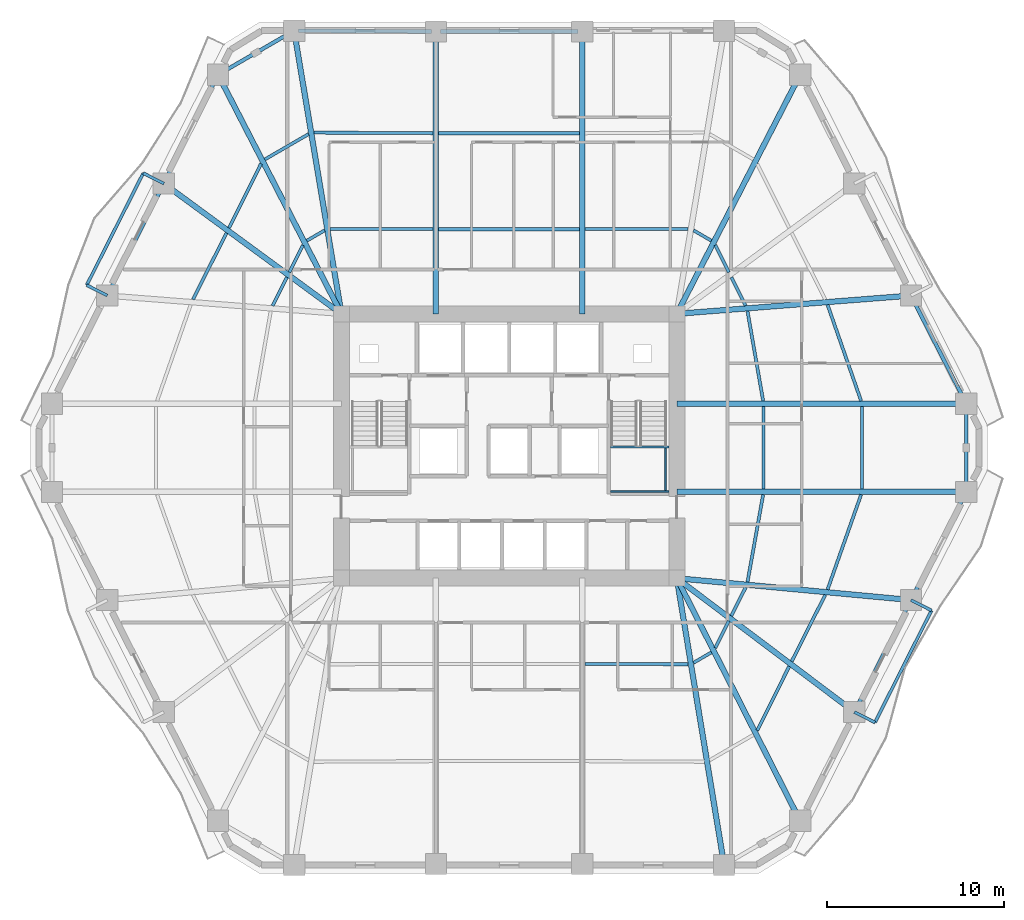
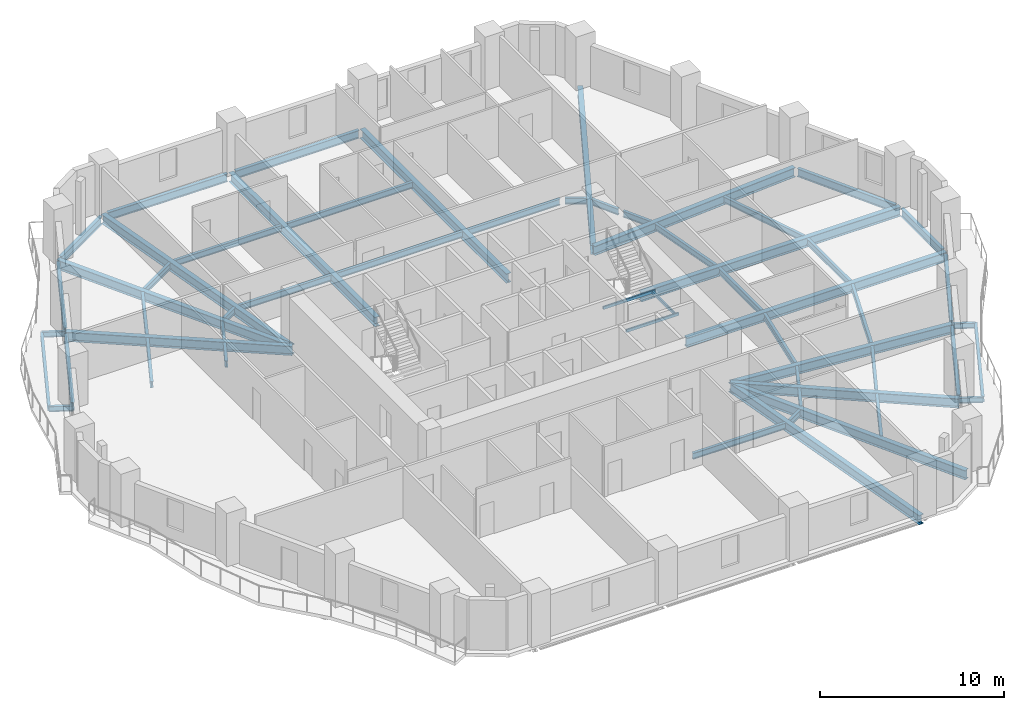
# One storey, part 2 of 11: 57 beams.
"""IFC4 building model written with IfcOpenShell, lengths in metres."""

from ifc_helpers import new_model, si_unit, direction, frame, origin, origin_2d, place, context, subcontext, project, spatial, hollow_rectangle, i_section, extrude, material, material_profile, profile_set, type_object, element, save


model = new_model("IFC4")

# Units and contexts
model_context = context("Model", 3, precision=1e-05, world=origin(), true_north=direction((0.0, 1.0)))
body_context = subcontext(model_context, "Body", "Model", "MODEL_VIEW")
ifc_project = project(units=[si_unit("LENGTHUNIT", "METRE"), si_unit("AREAUNIT", "SQUARE_METRE"), si_unit("VOLUMEUNIT", "CUBIC_METRE"), si_unit("PLANEANGLEUNIT", "RADIAN"), si_unit("MASSUNIT", "GRAM", prefix="KILO")], contexts=[model_context])

# Site, building, storey
site_placement = place(None, origin())
site = spatial("IfcSite", under=ifc_project, at=site_placement, CompositionType="ELEMENT")
building_placement = place(site_placement, origin())
building = spatial("IfcBuilding", under=site, at=building_placement, Name="Cinnabar Lancet Tower", CompositionType="ELEMENT")
storey_placement = place(building_placement, frame((0.0, 0.0, 60.39990234375)))
storey = spatial("IfcBuildingStorey", under=building, at=storey_placement, Name="L15", CompositionType="ELEMENT", Elevation=60.39990234375)

# Beams
ifc_material_1 = material(Name="Structural steel S355", Category="steel")
ifc_material_profile_1 = material_profile(ifc_material_1, i_section(OverallWidth=0.177978515625, OverallDepth=0.406494140625, WebThickness=0.0078125, FlangeThickness=0.0126953125, FilletRadius=0.01025390625, at=origin_2d()), Name="UKB 406x178x60")
ifc_profile_set_1 = profile_set([ifc_material_profile_1], Name="Structural steel S355")
beam_type_1 = type_object("IfcBeamType", Name="STR-BM-JST-406", PredefinedType="JOIST", material=ifc_profile_set_1)
beam_1_placement = place(storey_placement, frame((36.676025390625, 13.616943359375, -0.4228515625), z_axis=(0.999996723732, -0.002559790187, 0.0), x_axis=(0.002559790187, 0.999996723732, 0.0)))
element("IfcBeam", 1, at=beam_1_placement, inside=storey, type_object=beam_type_1, Name="L15 Secondary Floor Joist 14", PredefinedType="JOIST", context=body_context, shape_type="SweptSolid", body=[
    extrude(i_section(OverallWidth=0.177978515625, OverallDepth=0.406494140625, WebThickness=0.0078125, FlangeThickness=0.0126953125, FilletRadius=0.01025390625, at=origin_2d()), origin(), (0.0, 0.0, 1.0), 5.81787109375),
])
beam_2_placement = place(storey_placement, frame((42.7919921875, 13.68408203125, -0.4228515625), z_axis=(0.865192550274, 0.50143977799, 0.0), x_axis=(-0.50143977799, 0.865192550274, 0.0)))
element("IfcBeam", 2, at=beam_2_placement, inside=storey, type_object=beam_type_1, Name="L15 Secondary Floor Joist 16", PredefinedType="JOIST", context=body_context, shape_type="SweptSolid", body=[
    extrude(i_section(OverallWidth=0.177978515625, OverallDepth=0.406494140625, WebThickness=0.0078125, FlangeThickness=0.0126953125, FilletRadius=0.01025390625, at=origin_2d()), origin(), (0.0, 0.0, 1.0), 1.16845703125),
])
beam_3_placement = place(storey_placement, frame((46.385009765625, 9.867919921875, -0.4228515625), z_axis=(0.445835127839, 0.895115098065, 0.0), x_axis=(-0.895115098065, 0.445835127839, 0.0)))
element("IfcBeam", 3, at=beam_3_placement, inside=storey, type_object=beam_type_1, Name="L15 Secondary Floor Joist 17", PredefinedType="JOIST", context=body_context, shape_type="SweptSolid", body=[
    extrude(i_section(OverallWidth=0.177978515625, OverallDepth=0.406494140625, WebThickness=0.0078125, FlangeThickness=0.0126953125, FilletRadius=0.01025390625, at=origin_2d()), origin(), (0.0, 0.0, 1.0), 4.03955078125),
])
beam_4_placement = place(storey_placement, frame((44.02099609375, 14.51806640625, -0.4228515625), z_axis=(0.44578468599, 0.895140220154, 0.0), x_axis=(-0.895140220154, 0.44578468599, 0.0)))
element("IfcBeam", 4, at=beam_4_placement, inside=storey, type_object=beam_type_1, Name="L15 Secondary Floor Joist 18", PredefinedType="JOIST", context=body_context, shape_type="SweptSolid", body=[
    extrude(i_section(OverallWidth=0.177978515625, OverallDepth=0.406494140625, WebThickness=0.0078125, FlangeThickness=0.0126953125, FilletRadius=0.01025390625, at=origin_2d()), origin(), (0.0, 0.0, 1.0), 1.709228515625),
])
beam_5_placement = place(storey_placement, frame((48.325927734375, 13.762939453125, -0.4228515625), z_axis=(0.450717414682, 0.892666685893, 0.0), x_axis=(-0.892666685893, 0.450717414682, 0.0)))
element("IfcBeam", 5, at=beam_5_placement, inside=storey, type_object=beam_type_1, Name="L15 Secondary Floor Joist 19", PredefinedType="JOIST", context=body_context, shape_type="SweptSolid", body=[
    extrude(i_section(OverallWidth=0.177978515625, OverallDepth=0.406494140625, WebThickness=0.0078125, FlangeThickness=0.0126953125, FilletRadius=0.01025390625, at=origin_2d()), origin(), (0.0, 0.0, 1.0), 4.204345703125),
])
beam_6_placement = place(storey_placement, frame((44.923095703125, 16.326904296875, -0.4228515625), z_axis=(0.450411488104, 0.892821085875, 0.0), x_axis=(-0.892821085875, 0.450411488104, 0.0)))
element("IfcBeam", 6, at=beam_6_placement, inside=storey, type_object=beam_type_1, Name="L15 Secondary Floor Joist 20", PredefinedType="JOIST", context=body_context, shape_type="SweptSolid", body=[
    extrude(i_section(OverallWidth=0.177978515625, OverallDepth=0.406494140625, WebThickness=0.0078125, FlangeThickness=0.0126953125, FilletRadius=0.01025390625, at=origin_2d()), origin(), (0.0, 0.0, 1.0), 1.800048828125),
])
beam_7_placement = place(storey_placement, frame((50.347900390625, 17.81201171875, -0.4228515625), z_axis=(0.333387390151, 0.942789927867, 0.0), x_axis=(-0.942789927867, 0.333387390151, 0.0)))
element("IfcBeam", 7, at=beam_7_placement, inside=storey, type_object=beam_type_1, Name="L15 Secondary Floor Joist 21", PredefinedType="JOIST", context=body_context, shape_type="SweptSolid", body=[
    extrude(i_section(OverallWidth=0.177978515625, OverallDepth=0.406494140625, WebThickness=0.0078125, FlangeThickness=0.0126953125, FilletRadius=0.01025390625, at=origin_2d()), origin(), (0.0, 0.0, 1.0), 5.67236328125),
])
beam_8_placement = place(storey_placement, frame((45.8359375, 18.23291015625, -0.4228515625), z_axis=(0.176227857104, 0.984349400559, 0.0), x_axis=(-0.984349400559, 0.176227857104, 0.0)))
element("IfcBeam", 8, at=beam_8_placement, inside=storey, type_object=beam_type_1, Name="L15 Secondary Floor Joist 22", PredefinedType="JOIST", context=body_context, shape_type="SweptSolid", body=[
    extrude(i_section(OverallWidth=0.177978515625, OverallDepth=0.406494140625, WebThickness=0.0078125, FlangeThickness=0.0126953125, FilletRadius=0.01025390625, at=origin_2d()), origin(), (0.0, 0.0, 1.0), 5.00537109375),
])
for number, where, z_axis, x_axis, name in (
    (9, (52.2939453125, 23.468017578125, -0.4228515625), (0.0, 1.0, 0.0), (-1.0, 0.0, 0.0), "L15 Secondary Floor Joist 23"),
    (10, (46.7451171875, 23.468017578125, -0.4228515625), (0.0, 1.0, 0.0), (-1.0, 0.0, 0.0), "L15 Secondary Floor Joist 24"),
):
    element("IfcBeam", number, at=place(storey_placement, frame(where, z_axis=z_axis, x_axis=x_axis)), inside=storey, type_object=beam_type_1, Name=name, PredefinedType="JOIST", context=body_context, shape_type="SweptSolid", body=[
        extrude(i_section(OverallWidth=0.177978515625, OverallDepth=0.406494140625, WebThickness=0.0078125, FlangeThickness=0.0126953125, FilletRadius=0.01025390625, at=origin_2d()), origin(), (0.0, 0.0, 1.0), 4.6640625),
    ])
beam_9_placement = place(storey_placement, frame((52.239990234375, 28.43994140625, -0.4228515625), z_axis=(-0.329645522599, 0.944104776723, 0.0), x_axis=(-0.944104776723, -0.329645522599, 0.0)))
element("IfcBeam", 11, at=beam_9_placement, inside=storey, type_object=beam_type_1, Name="L15 Secondary Floor Joist 25", PredefinedType="JOIST", context=body_context, shape_type="SweptSolid", body=[
    extrude(i_section(OverallWidth=0.177978515625, OverallDepth=0.406494140625, WebThickness=0.0078125, FlangeThickness=0.0126953125, FilletRadius=0.01025390625, at=origin_2d()), origin(), (0.0, 0.0, 1.0), 5.73974609375),
])
beam_10_placement = place(storey_placement, frame((46.718994140625, 28.43994140625, -0.4228515625), z_axis=(-0.171867959611, 0.985119994954, 0.0), x_axis=(-0.985119994954, -0.171867959611, 0.0)))
element("IfcBeam", 12, at=beam_10_placement, inside=storey, type_object=beam_type_1, Name="L15 Secondary Floor Joist 26", PredefinedType="JOIST", context=body_context, shape_type="SweptSolid", body=[
    extrude(i_section(OverallWidth=0.177978515625, OverallDepth=0.406494140625, WebThickness=0.0078125, FlangeThickness=0.0126953125, FilletRadius=0.01025390625, at=origin_2d()), origin(), (0.0, 0.0, 1.0), 5.1435546875),
])
beam_11_placement = place(storey_placement, frame((45.73388671875, 33.806884765625, -0.4228515625), z_axis=(-0.450629740029, 0.892710948405, 0.0), x_axis=(-0.892710948405, -0.450629740029, 0.0)))
element("IfcBeam", 13, at=beam_11_placement, inside=storey, type_object=beam_type_1, Name="L15 Secondary Floor Joist 28", PredefinedType="JOIST", context=body_context, shape_type="SweptSolid", body=[
    extrude(i_section(OverallWidth=0.177978515625, OverallDepth=0.406494140625, WebThickness=0.0078125, FlangeThickness=0.0126953125, FilletRadius=0.01025390625, at=origin_2d()), origin(), (0.0, 0.0, 1.0), 1.79931640625),
])
beam_12_placement = place(storey_placement, frame((44.782958984375, 35.69189453125, -0.4228515625), z_axis=(-0.445556802404, 0.895253671219, 0.0), x_axis=(-0.895253671219, -0.445556802404, 0.0)))
element("IfcBeam", 14, at=beam_12_placement, inside=storey, type_object=beam_type_1, Name="L15 Secondary Floor Joist 30", PredefinedType="JOIST", context=body_context, shape_type="SweptSolid", body=[
    extrude(i_section(OverallWidth=0.177978515625, OverallDepth=0.406494140625, WebThickness=0.0078125, FlangeThickness=0.0126953125, FilletRadius=0.01025390625, at=origin_2d()), origin(), (0.0, 0.0, 1.0), 1.710205078125),
])
beam_13_placement = place(storey_placement, frame((43.802978515625, 37.469970703125, -0.4228515625), z_axis=(-0.865192550274, 0.50143977799, 0.0), x_axis=(-0.50143977799, -0.865192550274, 0.0)))
element("IfcBeam", 15, at=beam_13_placement, inside=storey, type_object=beam_type_1, Name="L15 Secondary Floor Joist 32", PredefinedType="JOIST", context=body_context, shape_type="SweptSolid", body=[
    extrude(i_section(OverallWidth=0.177978515625, OverallDepth=0.406494140625, WebThickness=0.0078125, FlangeThickness=0.0126953125, FilletRadius=0.01025390625, at=origin_2d()), origin(), (0.0, 0.0, 1.0), 1.16845703125),
])
beam_14_placement = place(storey_placement, frame((42.493896484375, 38.137939453125, -0.4228515625), z_axis=(-0.999996723732, -0.002559790187, 0.0), x_axis=(0.002559790187, -0.999996723732, 0.0)))
element("IfcBeam", 16, at=beam_14_placement, inside=storey, type_object=beam_type_1, Name="L15 Secondary Floor Joist 34", PredefinedType="JOIST", context=body_context, shape_type="SweptSolid", body=[
    extrude(i_section(OverallWidth=0.177978515625, OverallDepth=0.406494140625, WebThickness=0.0078125, FlangeThickness=0.0126953125, FilletRadius=0.01025390625, at=origin_2d()), origin(), (0.0, 0.0, 1.0), 5.81787109375),
])
for number, where, z_axis, x_axis, name in (
    (17, (36.367919921875, 43.531005859375, -0.4228515625), (-1.0, 0.0, 0.0), (0.0, -1.0, 0.0), "L15 Secondary Floor Joist 35"),
    (18, (36.367919921875, 38.1220703125, -0.4228515625), (-1.0, 0.0, 0.0), (0.0, -1.0, 0.0), "L15 Secondary Floor Joist 36"),
):
    element("IfcBeam", number, at=place(storey_placement, frame(where, z_axis=z_axis, x_axis=x_axis)), inside=storey, type_object=beam_type_1, Name=name, PredefinedType="JOIST", context=body_context, shape_type="SweptSolid", body=[
        extrude(i_section(OverallWidth=0.177978515625, OverallDepth=0.406494140625, WebThickness=0.0078125, FlangeThickness=0.0126953125, FilletRadius=0.01025390625, at=origin_2d()), origin(), (0.0, 0.0, 1.0), 7.93603515625),
    ])
beam_15_placement = place(storey_placement, frame((28.1240234375, 43.531982421875, -0.4228515625), z_axis=(-0.999988691939, 0.004755627628, 0.0), x_axis=(-0.004755627628, -0.999988691939, 0.0)))
element("IfcBeam", 19, at=beam_15_placement, inside=storey, type_object=beam_type_1, Name="L15 Secondary Floor Joist 37", PredefinedType="JOIST", context=body_context, shape_type="SweptSolid", body=[
    extrude(i_section(OverallWidth=0.177978515625, OverallDepth=0.406494140625, WebThickness=0.0078125, FlangeThickness=0.0126953125, FilletRadius=0.01025390625, at=origin_2d()), origin(), (0.0, 0.0, 1.0), 6.72509765625),
])
beam_16_placement = place(storey_placement, frame((28.1240234375, 38.123046875, -0.4228515625), z_axis=(-0.999996724007, 0.002559682773, 0.0), x_axis=(-0.002559682773, -0.999996724007, 0.0)))
element("IfcBeam", 20, at=beam_16_placement, inside=storey, type_object=beam_type_1, Name="L15 Secondary Floor Joist 38", PredefinedType="JOIST", context=body_context, shape_type="SweptSolid", body=[
    extrude(i_section(OverallWidth=0.177978515625, OverallDepth=0.406494140625, WebThickness=0.0078125, FlangeThickness=0.0126953125, FilletRadius=0.01025390625, at=origin_2d()), origin(), (0.0, 0.0, 1.0), 5.818115234375),
])
beam_17_placement = place(storey_placement, frame((21.10107421875, 43.48291015625, -0.4228515625), z_axis=(-0.865113631149, -0.50157592167, 0.0), x_axis=(0.50157592167, -0.865113631149, 0.0)))
element("IfcBeam", 21, at=beam_17_placement, inside=storey, type_object=beam_type_1, Name="L15 Secondary Floor Joist 39", PredefinedType="JOIST", context=body_context, shape_type="SweptSolid", body=[
    extrude(i_section(OverallWidth=0.177978515625, OverallDepth=0.406494140625, WebThickness=0.0078125, FlangeThickness=0.0126953125, FilletRadius=0.01025390625, at=origin_2d()), origin(), (0.0, 0.0, 1.0), 2.852783203125),
])
beam_18_placement = place(storey_placement, frame((22.008056640625, 38.055908203125, -0.4228515625), z_axis=(-0.865192550274, -0.50143977799, 0.0), x_axis=(0.50143977799, -0.865192550274, 0.0)))
element("IfcBeam", 22, at=beam_18_placement, inside=storey, type_object=beam_type_1, Name="L15 Secondary Floor Joist 40", PredefinedType="JOIST", context=body_context, shape_type="SweptSolid", body=[
    extrude(i_section(OverallWidth=0.177978515625, OverallDepth=0.406494140625, WebThickness=0.0078125, FlangeThickness=0.0126953125, FilletRadius=0.01025390625, at=origin_2d()), origin(), (0.0, 0.0, 1.0), 1.16845703125),
])
beam_19_placement = place(storey_placement, frame((18.4150390625, 41.804931640625, -0.4228515625), z_axis=(-0.445738672706, -0.895163133543, 0.0), x_axis=(0.895163133543, -0.445738672706, 0.0)))
element("IfcBeam", 23, at=beam_19_placement, inside=storey, type_object=beam_type_1, Name="L15 Secondary Floor Joist 41", PredefinedType="JOIST", context=body_context, shape_type="SweptSolid", body=[
    extrude(i_section(OverallWidth=0.177978515625, OverallDepth=0.406494140625, WebThickness=0.0078125, FlangeThickness=0.0126953125, FilletRadius=0.01025390625, at=origin_2d()), origin(), (0.0, 0.0, 1.0), 4.04052734375),
])
beam_20_placement = place(storey_placement, frame((20.779052734375, 37.222900390625, -0.4228515625), z_axis=(-0.445556802404, -0.895253671219, 0.0), x_axis=(0.895253671219, -0.445556802404, 0.0)))
element("IfcBeam", 24, at=beam_20_placement, inside=storey, type_object=beam_type_1, Name="L15 Secondary Floor Joist 42", PredefinedType="JOIST", context=body_context, shape_type="SweptSolid", body=[
    extrude(i_section(OverallWidth=0.177978515625, OverallDepth=0.406494140625, WebThickness=0.0078125, FlangeThickness=0.0126953125, FilletRadius=0.01025390625, at=origin_2d()), origin(), (0.0, 0.0, 1.0), 1.710205078125),
])
beam_21_placement = place(storey_placement, frame((16.47412109375, 37.908935546875, -0.4228515625), z_axis=(-0.450834254961, -0.89260768233, 0.0), x_axis=(0.89260768233, -0.450834254961, 0.0)))
element("IfcBeam", 25, at=beam_21_placement, inside=storey, type_object=beam_type_1, Name="L15 Secondary Floor Joist 43", PredefinedType="JOIST", context=body_context, shape_type="SweptSolid", body=[
    extrude(i_section(OverallWidth=0.177978515625, OverallDepth=0.406494140625, WebThickness=0.0078125, FlangeThickness=0.0126953125, FilletRadius=0.01025390625, at=origin_2d()), origin(), (0.0, 0.0, 1.0), 4.203369140625),
])
beam_22_placement = place(storey_placement, frame((19.876953125, 35.4130859375, -0.4228515625), z_axis=(-0.450737866707, -0.892656359142, 0.0), x_axis=(0.892656359142, -0.450737866707, 0.0)))
element("IfcBeam", 26, at=beam_22_placement, inside=storey, type_object=beam_type_1, Name="L15 Secondary Floor Joist 44", PredefinedType="JOIST", context=body_context, shape_type="SweptSolid", body=[
    extrude(i_section(OverallWidth=0.177978515625, OverallDepth=0.406494140625, WebThickness=0.0078125, FlangeThickness=0.0126953125, FilletRadius=0.01025390625, at=origin_2d()), origin(), (0.0, 0.0, 1.0), 1.79931640625),
])
ifc_material_2 = material(Name="Structural steel S355", Category="steel")
ifc_material_profile_2 = material_profile(ifc_material_2, hollow_rectangle(XDim=0.10009765625, YDim=0.199951171875, WallThickness=0.008056640625, InnerFilletRadius=0.00390625, OuterFilletRadius=0.011962890625, at=origin_2d()), Name="RHS 200x100x8")
ifc_profile_set_2 = profile_set([ifc_material_profile_2], Name="Structural steel S355")
beam_type_2 = type_object("IfcBeamType", Name="STR-BM-LND-203", PredefinedType="BEAM", material=ifc_profile_set_2)
for number, where, z_axis, x_axis, name in (
    (27, (38.1201171875, 23.330078125, 1.47509765625), (1.0, 0.0, 0.0), (0.0, 1.0, 0.0), "L15 ST-2-L15 Landing Support Beam S"),
    (28, (38.1201171875, 25.844970703125, 1.47509765625), (1.0, 0.0, 0.0), (0.0, 1.0, 0.0), "L15 ST-2-L15 Landing Support Beam N"),
):
    element("IfcBeam", number, at=place(storey_placement, frame(where, z_axis=z_axis, x_axis=x_axis)), inside=storey, type_object=beam_type_2, Name=name, PredefinedType="BEAM", context=body_context, shape_type="SweptSolid", body=[
        extrude(hollow_rectangle(XDim=0.10009765625, YDim=0.199951171875, WallThickness=0.008056640625, InnerFilletRadius=0.00390625, OuterFilletRadius=0.011962890625, at=origin_2d()), origin(), (0.0, 0.0, 1.0), 3.27978515625),
    ])
beam_23_placement = place(storey_placement, frame((41.219970703125, 23.3798828125, 1.47509765625), z_axis=(0.0, 1.0, 0.0), x_axis=(-1.0, 0.0, 0.0)))
element("IfcBeam", 29, at=beam_23_placement, inside=storey, type_object=beam_type_2, Name="L15 ST-2-L15 Landing Side Trimmer Beam", PredefinedType="BEAM", context=body_context, shape_type="SweptSolid", body=[
    extrude(hollow_rectangle(XDim=0.10009765625, YDim=0.199951171875, WallThickness=0.008056640625, InnerFilletRadius=0.00390625, OuterFilletRadius=0.011962890625, at=origin_2d()), origin(), (0.0, 0.0, 1.0), 2.4150390625),
])
ifc_material_3 = material(Name="Structural steel S355", Category="steel")
ifc_material_profile_3 = material_profile(ifc_material_3, i_section(OverallWidth=0.209228515625, OverallDepth=0.533203125, WebThickness=0.010009765625, FlangeThickness=0.015625, FilletRadius=0.0126953125, at=origin_2d()), Name="UKB 533x210x92")
ifc_profile_set_3 = profile_set([ifc_material_profile_3], Name="Structural steel S355")
beam_type_3 = type_object("IfcBeamType", Name="STR-BM-SPN-533", PredefinedType="SPANDREL", material=ifc_profile_set_3)
beam_24_placement = place(storey_placement, frame((51.971923828125, 11.132080078125, -0.48681640625), z_axis=(0.450703143926, 0.892673891214, 0.0), x_axis=(-0.892673891214, 0.450703143926, 0.0)))
element("IfcBeam", 30, at=beam_24_placement, inside=storey, type_object=beam_type_3, Name="L15 Perimeter Spandrel 6", PredefinedType="SPANDREL", context=body_context, shape_type="SweptSolid", body=[
    extrude(i_section(OverallWidth=0.209228515625, OverallDepth=0.533203125, WebThickness=0.010009765625, FlangeThickness=0.015625, FilletRadius=0.0126953125, at=origin_2d()), origin(), (0.0, 0.0, 1.0), 6.570068359375),
])
beam_25_placement = place(storey_placement, frame((55.159912109375, 17.443115234375, -0.48681640625), z_axis=(0.456024522632, 0.889967209934, 0.0), x_axis=(-0.889967209934, 0.456024522632, 0.0)))
element("IfcBeam", 31, at=beam_25_placement, inside=storey, type_object=beam_type_3, Name="L15 Perimeter Spandrel 7", PredefinedType="SPANDREL", context=body_context, shape_type="SweptSolid", body=[
    extrude(i_section(OverallWidth=0.209228515625, OverallDepth=0.533203125, WebThickness=0.010009765625, FlangeThickness=0.015625, FilletRadius=0.0126953125, at=origin_2d()), origin(), (0.0, 0.0, 1.0), 6.34619140625),
])
beam_26_placement = place(storey_placement, frame((58.16796875, 23.56396484375, -0.48681640625), z_axis=(0.0, 1.0, 0.0), x_axis=(-1.0, 0.0, 0.0)))
element("IfcBeam", 32, at=beam_26_placement, inside=storey, type_object=beam_type_3, Name="L15 Perimeter Spandrel 8", PredefinedType="SPANDREL", context=body_context, shape_type="SweptSolid", body=[
    extrude(i_section(OverallWidth=0.209228515625, OverallDepth=0.533203125, WebThickness=0.010009765625, FlangeThickness=0.015625, FilletRadius=0.0126953125, at=origin_2d()), origin(), (0.0, 0.0, 1.0), 4.471923828125),
])
beam_27_placement = place(storey_placement, frame((58.053955078125, 28.509033203125, -0.48681640625), z_axis=(-0.456024522632, 0.889967209934, 0.0), x_axis=(-0.889967209934, -0.456024522632, 0.0)))
element("IfcBeam", 33, at=beam_27_placement, inside=storey, type_object=beam_type_3, Name="L15 Perimeter Spandrel 9", PredefinedType="SPANDREL", context=body_context, shape_type="SweptSolid", body=[
    extrude(i_section(OverallWidth=0.209228515625, OverallDepth=0.533203125, WebThickness=0.010009765625, FlangeThickness=0.015625, FilletRadius=0.0126953125, at=origin_2d()), origin(), (0.0, 0.0, 1.0), 6.34619140625),
])
beam_28_placement = place(storey_placement, frame((36.27197265625, 49.258056640625, -0.48681640625), z_axis=(-1.0, 0.0, 0.0), x_axis=(0.0, -1.0, 0.0)))
element("IfcBeam", 34, at=beam_28_placement, inside=storey, type_object=beam_type_3, Name="L15 Perimeter Spandrel 14", PredefinedType="SPANDREL", context=body_context, shape_type="SweptSolid", body=[
    extrude(i_section(OverallWidth=0.209228515625, OverallDepth=0.533203125, WebThickness=0.010009765625, FlangeThickness=0.015625, FilletRadius=0.0126953125, at=origin_2d()), origin(), (0.0, 0.0, 1.0), 7.743896484375),
])
beam_29_placement = place(storey_placement, frame((28.028076171875, 49.260009765625, -0.48681640625), z_axis=(-0.99997856757, 0.006547090947, 0.0), x_axis=(-0.006547090947, -0.99997856757, 0.0)))
element("IfcBeam", 35, at=beam_29_placement, inside=storey, type_object=beam_type_3, Name="L15 Perimeter Spandrel 15", PredefinedType="SPANDREL", context=body_context, shape_type="SweptSolid", body=[
    extrude(i_section(OverallWidth=0.209228515625, OverallDepth=0.533203125, WebThickness=0.010009765625, FlangeThickness=0.015625, FilletRadius=0.0126953125, at=origin_2d()), origin(), (0.0, 0.0, 1.0), 7.495361328125),
])
beam_30_placement = place(storey_placement, frame((20.06689453125, 49.18603515625, -0.48681640625), z_axis=(-0.865147238596, -0.501517951374, 0.0), x_axis=(0.501517951374, -0.865147238596, 0.0)))
element("IfcBeam", 36, at=beam_30_placement, inside=storey, type_object=beam_type_3, Name="L15 Perimeter Spandrel 16", PredefinedType="SPANDREL", context=body_context, shape_type="SweptSolid", body=[
    extrude(i_section(OverallWidth=0.209228515625, OverallDepth=0.533203125, WebThickness=0.010009765625, FlangeThickness=0.015625, FilletRadius=0.0126953125, at=origin_2d()), origin(), (0.0, 0.0, 1.0), 4.454833984375),
])
beam_31_placement = place(storey_placement, frame((15.885986328125, 46.60302734375, -0.48681640625), z_axis=(-0.445953050023, -0.89505635419, 0.0), x_axis=(0.89505635419, -0.445953050023, 0.0)))
element("IfcBeam", 37, at=beam_31_placement, inside=storey, type_object=beam_type_3, Name="L15 Perimeter Spandrel 17", PredefinedType="SPANDREL", context=body_context, shape_type="SweptSolid", body=[
    extrude(i_section(OverallWidth=0.209228515625, OverallDepth=0.533203125, WebThickness=0.010009765625, FlangeThickness=0.015625, FilletRadius=0.0126953125, at=origin_2d()), origin(), (0.0, 0.0, 1.0), 6.35498046875),
])
beam_32_placement = place(storey_placement, frame((12.827880859375, 40.468017578125, -0.48681640625), z_axis=(-0.450673532306, -0.892688841242, 0.0), x_axis=(0.892688841242, -0.450673532306, 0.0)))
element("IfcBeam", 38, at=beam_32_placement, inside=storey, type_object=beam_type_3, Name="L15 Perimeter Spandrel 18", PredefinedType="SPANDREL", context=body_context, shape_type="SweptSolid", body=[
    extrude(i_section(OverallWidth=0.209228515625, OverallDepth=0.533203125, WebThickness=0.010009765625, FlangeThickness=0.015625, FilletRadius=0.0126953125, at=origin_2d()), origin(), (0.0, 0.0, 1.0), 6.570068359375),
])
ifc_material_4 = material(Name="Structural steel S355", Category="steel")
ifc_material_profile_4 = material_profile(ifc_material_4, i_section(OverallWidth=0.30712890625, OverallDepth=0.6201171875, WebThickness=0.01416015625, FlangeThickness=0.023681640625, FilletRadius=0.0166015625, at=origin_2d()), Name="UKB 610x305x179")
ifc_profile_set_4 = profile_set([ifc_material_profile_4], Name="Structural steel S355")
beam_type_4 = type_object("IfcBeamType", Name="STR-BM-UKB610-179", PredefinedType="BEAM", material=ifc_profile_set_4)
beam_33_placement = place(storey_placement, frame((51.85888671875, 10.908935546875, -0.52978515625), z_axis=(-0.798679534026, 0.601756596912, 0.0), x_axis=(-0.601756596912, -0.798679534026, 0.0)))
element("IfcBeam", 39, at=beam_33_placement, inside=storey, type_object=beam_type_4, Name="L15 Corner Collector Girder 2", PredefinedType="BEAM", context=body_context, shape_type="SweptSolid", body=[
    extrude(i_section(OverallWidth=0.30712890625, OverallDepth=0.6201171875, WebThickness=0.01416015625, FlangeThickness=0.023681640625, FilletRadius=0.0166015625, at=origin_2d()), origin(), (0.0, 0.0, 1.0), 12.53173828125),
])
beam_34_placement = place(storey_placement, frame((12.94091796875, 40.69091796875, -0.52978515625), z_axis=(0.806371852816, -0.591408856026, 0.0), x_axis=(0.591408856026, 0.806371852816, 0.0)))
element("IfcBeam", 40, at=beam_34_placement, inside=storey, type_object=beam_type_4, Name="L15 Corner Collector Girder 4", PredefinedType="BEAM", context=body_context, shape_type="SweptSolid", body=[
    extrude(i_section(OverallWidth=0.30712890625, OverallDepth=0.6201171875, WebThickness=0.01416015625, FlangeThickness=0.023681640625, FilletRadius=0.0166015625, at=origin_2d()), origin(), (0.0, 0.0, 1.0), 12.412353515625),
])
beam_35_placement = place(storey_placement, frame((44.51708984375, 2.2890625, -0.52978515625), z_axis=(-0.162825264118, 0.986654921117, 0.0), x_axis=(-0.986654921117, -0.162825264118, 0.0)))
element("IfcBeam", 41, at=beam_35_placement, inside=storey, type_object=beam_type_4, Name="L15 Primary Floor Girder 4", PredefinedType="BEAM", context=body_context, shape_type="SweptSolid", body=[
    extrude(i_section(OverallWidth=0.30712890625, OverallDepth=0.6201171875, WebThickness=0.01416015625, FlangeThickness=0.023681640625, FilletRadius=0.0166015625, at=origin_2d()), origin(), (0.0, 0.0, 1.0), 16.37939453125),
])
beam_36_placement = place(storey_placement, frame((48.802978515625, 4.77294921875, -0.52978515625), z_axis=(-0.453167599586, 0.89142533433, 0.0), x_axis=(-0.89142533433, -0.453167599586, 0.0)))
element("IfcBeam", 42, at=beam_36_placement, inside=storey, type_object=beam_type_4, Name="L15 Primary Floor Girder 5", PredefinedType="BEAM", context=body_context, shape_type="SweptSolid", body=[
    extrude(i_section(OverallWidth=0.30712890625, OverallDepth=0.6201171875, WebThickness=0.01416015625, FlangeThickness=0.023681640625, FilletRadius=0.0166015625, at=origin_2d()), origin(), (0.0, 0.0, 1.0), 15.3427734375),
])
beam_37_placement = place(storey_placement, frame((55.0458984375, 17.219970703125, -0.52978515625), z_axis=(-0.99568405159, 0.092807701238, 0.0), x_axis=(-0.092807701238, -0.99568405159, 0.0)))
element("IfcBeam", 43, at=beam_37_placement, inside=storey, type_object=beam_type_4, Name="L15 Primary Floor Girder 7", PredefinedType="BEAM", context=body_context, shape_type="SweptSolid", body=[
    extrude(i_section(OverallWidth=0.30712890625, OverallDepth=0.6201171875, WebThickness=0.01416015625, FlangeThickness=0.023681640625, FilletRadius=0.0166015625, at=origin_2d()), origin(), (0.0, 0.0, 1.0), 13.2529296875),
])
for number, where, z_axis, x_axis, name in (
    (44, (58.16796875, 23.31396484375, -0.52978515625), (-1.0, 0.0, 0.0), (0.0, -1.0, 0.0), "L15 Primary Floor Girder 8"),
    (45, (58.16796875, 28.285888671875, -0.52978515625), (-1.0, 0.0, 0.0), (0.0, -1.0, 0.0), "L15 Primary Floor Girder 9"),
):
    element("IfcBeam", number, at=place(storey_placement, frame(where, z_axis=z_axis, x_axis=x_axis)), inside=storey, type_object=beam_type_4, Name=name, PredefinedType="BEAM", context=body_context, shape_type="SweptSolid", body=[
        extrude(i_section(OverallWidth=0.30712890625, OverallDepth=0.6201171875, WebThickness=0.01416015625, FlangeThickness=0.023681640625, FilletRadius=0.0166015625, at=origin_2d()), origin(), (0.0, 0.0, 1.0), 16.31787109375),
    ])
beam_38_placement = place(storey_placement, frame((55.0458984375, 34.3798828125, -0.52978515625), z_axis=(-0.99696880683, -0.077802302076, 0.0), x_axis=(0.077802302076, -0.99696880683, 0.0)))
element("IfcBeam", 46, at=beam_38_placement, inside=storey, type_object=beam_type_4, Name="L15 Primary Floor Girder 10", PredefinedType="BEAM", context=body_context, shape_type="SweptSolid", body=[
    extrude(i_section(OverallWidth=0.30712890625, OverallDepth=0.6201171875, WebThickness=0.01416015625, FlangeThickness=0.023681640625, FilletRadius=0.0166015625, at=origin_2d()), origin(), (0.0, 0.0, 1.0), 13.23583984375),
])
beam_39_placement = place(storey_placement, frame((48.802978515625, 46.826904296875, -0.52978515625), z_axis=(-0.458492410387, -0.888698323177, 0.0), x_axis=(0.888698323177, -0.458492410387, 0.0)))
element("IfcBeam", 47, at=beam_39_placement, inside=storey, type_object=beam_type_4, Name="L15 Primary Floor Girder 12", PredefinedType="BEAM", context=body_context, shape_type="SweptSolid", body=[
    extrude(i_section(OverallWidth=0.30712890625, OverallDepth=0.6201171875, WebThickness=0.01416015625, FlangeThickness=0.023681640625, FilletRadius=0.0166015625, at=origin_2d()), origin(), (0.0, 0.0, 1.0), 15.16455078125),
])
for number, where, z_axis, x_axis, name in (
    (48, (36.52197265625, 49.258056640625, -0.52978515625), (0.0, -1.0, 0.0), (1.0, 0.0, 0.0), "L15 Primary Floor Girder 14"),
    (49, (28.278076171875, 49.258056640625, -0.52978515625), (0.0, -1.0, 0.0), (1.0, 0.0, 0.0), "L15 Primary Floor Girder 15"),
):
    element("IfcBeam", number, at=place(storey_placement, frame(where, z_axis=z_axis, x_axis=x_axis)), inside=storey, type_object=beam_type_4, Name=name, PredefinedType="BEAM", context=body_context, shape_type="SweptSolid", body=[
        extrude(i_section(OverallWidth=0.30712890625, OverallDepth=0.6201171875, WebThickness=0.01416015625, FlangeThickness=0.023681640625, FilletRadius=0.0166015625, at=origin_2d()), origin(), (0.0, 0.0, 1.0), 15.907958984375),
    ])
beam_40_placement = place(storey_placement, frame((20.282958984375, 49.31103515625, -0.52978515625), z_axis=(0.164809990854, -0.986325335229, 0.0), x_axis=(0.986325335229, 0.164809990854, 0.0)))
element("IfcBeam", 50, at=beam_40_placement, inside=storey, type_object=beam_type_4, Name="L15 Primary Floor Girder 16", PredefinedType="BEAM", context=body_context, shape_type="SweptSolid", body=[
    extrude(i_section(OverallWidth=0.30712890625, OverallDepth=0.6201171875, WebThickness=0.01416015625, FlangeThickness=0.023681640625, FilletRadius=0.0166015625, at=origin_2d()), origin(), (0.0, 0.0, 1.0), 16.18212890625),
])
beam_41_placement = place(storey_placement, frame((15.9970703125, 46.826904296875, -0.52978515625), z_axis=(0.458492410387, -0.888698323177, 0.0), x_axis=(0.888698323177, 0.458492410387, 0.0)))
element("IfcBeam", 51, at=beam_41_placement, inside=storey, type_object=beam_type_4, Name="L15 Primary Floor Girder 17", PredefinedType="BEAM", context=body_context, shape_type="SweptSolid", body=[
    extrude(i_section(OverallWidth=0.30712890625, OverallDepth=0.6201171875, WebThickness=0.01416015625, FlangeThickness=0.023681640625, FilletRadius=0.0166015625, at=origin_2d()), origin(), (0.0, 0.0, 1.0), 15.16455078125),
])
ifc_material_5 = material(Name="Structural steel S355", Category="steel")
ifc_material_profile_5 = material_profile(ifc_material_5, i_section(OverallWidth=0.17138671875, OverallDepth=0.35498046875, WebThickness=0.00732421875, FlangeThickness=0.011474609375, FilletRadius=0.01025390625, at=origin_2d()), Name="UKB 356x171x51")
ifc_profile_set_5 = profile_set([ifc_material_profile_5], Name="Structural steel S355")
beam_type_5 = type_object("IfcBeamType", Name="STR-BM-WAV-OUT", PredefinedType="BEAM", material=ifc_profile_set_5)
for number, where, z_axis, x_axis, name in (
    (52, (51.85888671875, 10.908935546875, -0.39794921875), (0.892314203325, -0.451414845285, 0.0), (0.451414845285, 0.892314203325, 0.0), "L15 Face 2 Balcony Outlooker A"),
    (53, (55.0458984375, 17.219970703125, -0.39794921875), (0.892314203325, -0.451414845285, 0.0), (0.451414845285, 0.892314203325, 0.0), "L15 Face 2 Balcony Outlooker B"),
    (54, (12.94091796875, 40.69091796875, -0.39794921875), (-0.892200264127, 0.451639998995, 0.0), (-0.451639998995, -0.892200264127, 0.0), "L15 Face 5 Balcony Outlooker A"),
    (55, (9.75390625, 34.3798828125, -0.39794921875), (-0.892200264127, 0.451639998995, 0.0), (-0.451639998995, -0.892200264127, 0.0), "L15 Face 5 Balcony Outlooker B"),
):
    element("IfcBeam", number, at=place(storey_placement, frame(where, z_axis=z_axis, x_axis=x_axis)), inside=storey, type_object=beam_type_5, Name=name, PredefinedType="BEAM", context=body_context, shape_type="SweptSolid", body=[
        extrude(i_section(OverallWidth=0.17138671875, OverallDepth=0.35498046875, WebThickness=0.00732421875, FlangeThickness=0.011474609375, FilletRadius=0.01025390625, at=origin_2d()), origin(), (0.0, 0.0, 1.0), 1.300048828125),
    ])
ifc_material_6 = material(Name="Structural steel S355", Category="steel")
ifc_material_profile_6 = material_profile(ifc_material_6, i_section(OverallWidth=0.17138671875, OverallDepth=0.35498046875, WebThickness=0.00732421875, FlangeThickness=0.011474609375, FilletRadius=0.01025390625, at=origin_2d()), Name="UKB 356x171x51")
ifc_profile_set_6 = profile_set([ifc_material_profile_6], Name="Structural steel S355")
beam_type_6 = type_object("IfcBeamType", Name="STR-BM-WAV-TRIM", PredefinedType="SPANDREL", material=ifc_profile_set_6)
for number, where, z_axis, x_axis, name in (
    (56, (53.01904296875, 10.322021484375, -0.39794921875), (0.450773692627, 0.892638268301, 0.0), (-0.892638268301, 0.450773692627, 0.0), "L15 Face 2 Balcony Edge Trimmer"),
    (57, (11.781005859375, 41.278076171875, -0.39794921875), (-0.450773692627, -0.892638268301, 0.0), (0.892638268301, -0.450773692627, 0.0), "L15 Face 5 Balcony Edge Trimmer"),
):
    element("IfcBeam", number, at=place(storey_placement, frame(where, z_axis=z_axis, x_axis=x_axis)), inside=storey, type_object=beam_type_6, Name=name, PredefinedType="SPANDREL", context=body_context, shape_type="SweptSolid", body=[
        extrude(i_section(OverallWidth=0.17138671875, OverallDepth=0.35498046875, WebThickness=0.00732421875, FlangeThickness=0.011474609375, FilletRadius=0.01025390625, at=origin_2d()), origin(), (0.0, 0.0, 1.0), 7.070068359375),
    ])

save(model, "model.ifc")
